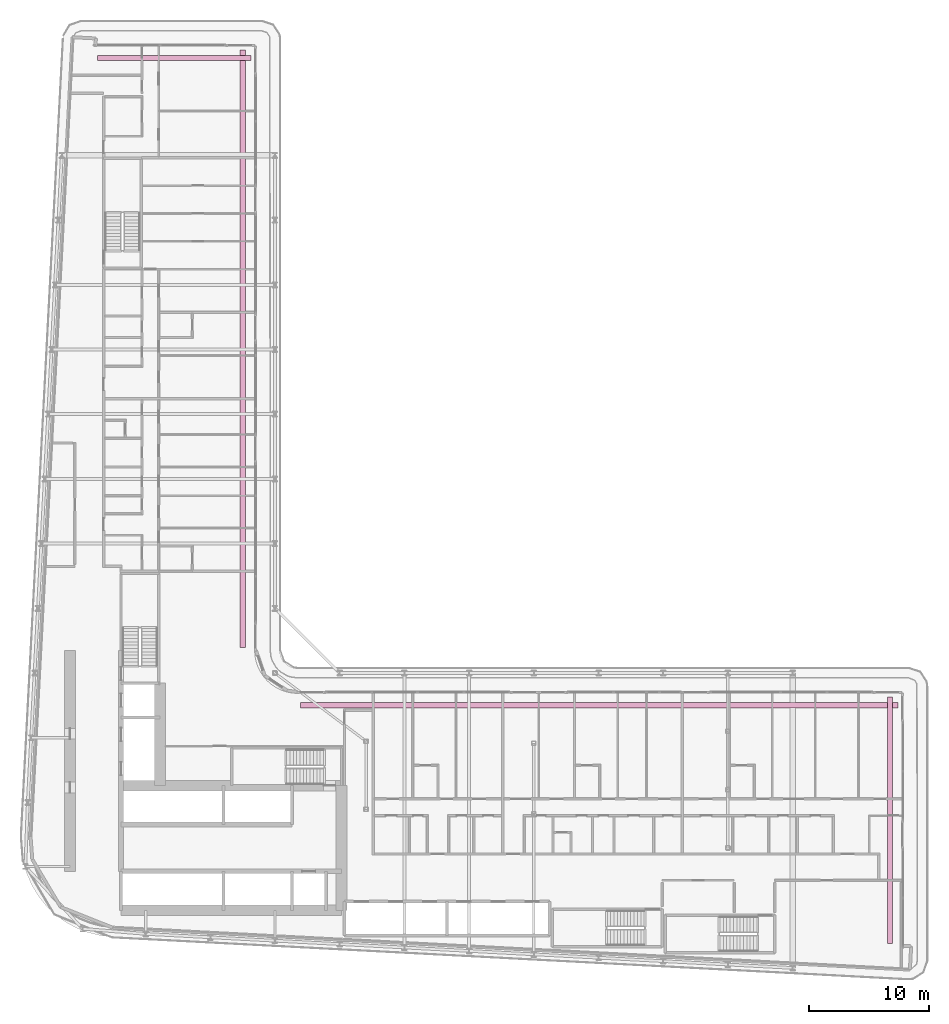
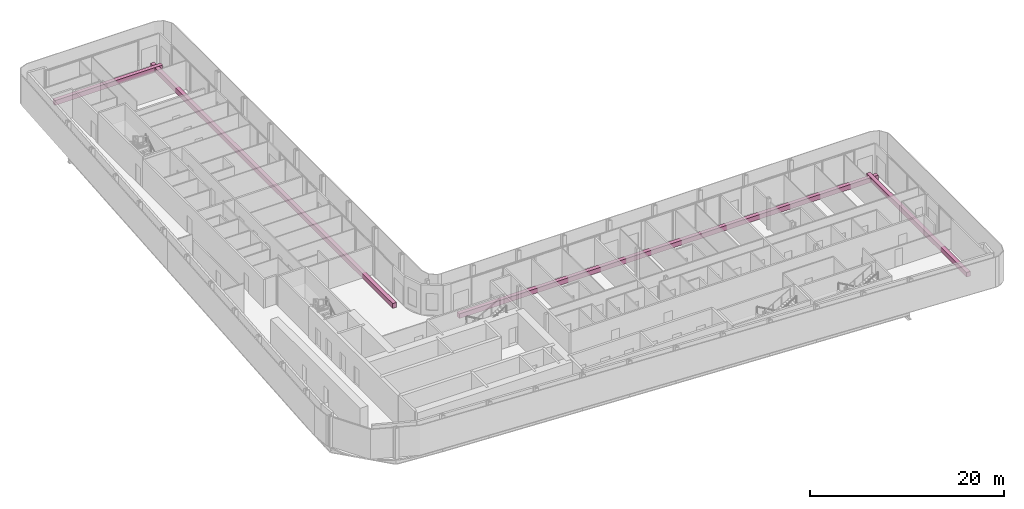
# One storey, part 29 of 29: 4 furniture elements.
"""IFC4 building model written with IfcOpenShell, lengths in metres."""

from ifc_helpers import new_model, si_unit, direction, frame, origin, origin_2d, place, context, subcontext, project, spatial, rectangle, extrude, material, type_object, element, save


model = new_model("IFC4")

# Units and contexts
model_context = context("Model", 3, precision=1e-05, world=origin(), true_north=direction((0.0, 1.0)))
body_context = subcontext(model_context, "Body", "Model", "MODEL_VIEW")
ifc_project = project(units=[si_unit("LENGTHUNIT", "METRE"), si_unit("AREAUNIT", "SQUARE_METRE"), si_unit("VOLUMEUNIT", "CUBIC_METRE"), si_unit("PLANEANGLEUNIT", "RADIAN"), si_unit("MASSUNIT", "GRAM", prefix="KILO")], contexts=[model_context])

# Site, building, storey
site_placement = place(None, origin())
site = spatial("IfcSite", under=ifc_project, at=site_placement, CompositionType="ELEMENT")
building_placement = place(site_placement, origin())
building = spatial("IfcBuilding", under=site, at=building_placement, Name="Kheshtan School and Residences Tower", CompositionType="ELEMENT")
storey_placement = place(building_placement, frame((0.0, 0.0, 121.39990234375)))
storey = spatial("IfcBuildingStorey", under=building, at=storey_placement, Name="L28", CompositionType="ELEMENT", Elevation=121.39990234375)

# Furniture
ifc_material = material(Name="Precast concrete C30/37 in terracotta finish", Category="masonry")
furniture_type = type_object("IfcFurnitureType", Name="Planter trough", AssemblyPlace="NOTDEFINED", PredefinedType="USERDEFINED", material=ifc_material)
furniture_1_placement = place(storey_placement, frame((39.196044921875, 96.925048828125, 0.0), z_axis=(0.0, 0.0, 1.0), x_axis=(1.0, 0.0, 0.0)))
element("IfcFurniture", 1, at=furniture_1_placement, inside=storey, type_object=furniture_type, Name="Planter L28", ObjectType="PLANTER", PredefinedType="USERDEFINED", context=body_context, shape_type="SweptSolid", body=[
    extrude(rectangle(XDim=12.80810546875, YDim=0.449951171875, at=origin_2d()), origin(), (0.0, 0.0, 1.0), 0.60009765625),
])
for number, where, z_axis, x_axis, name in (
    (2, (44.925048828125, 72.6650390625, 0.0), (0.0, 0.0, 1.0), (0.0, -1.0, 0.0), "Planter L28"),
    (3, (74.6650390625, 42.925048828125, 0.0), (0.0, 0.0, 1.0), (1.0, 0.0, 0.0), "Planter L28"),
):
    element("IfcFurniture", number, at=place(storey_placement, frame(where, z_axis=z_axis, x_axis=x_axis)), inside=storey, type_object=furniture_type, Name=name, ObjectType="PLANTER", PredefinedType="USERDEFINED", context=body_context, shape_type="SweptSolid", body=[
        extrude(rectangle(XDim=49.8701171875, YDim=0.449951171875, at=origin_2d()), origin(), (0.0, 0.0, 1.0), 0.60009765625),
    ])
furniture_2_placement = place(storey_placement, frame((98.925048828125, 33.306884765625, 0.0), z_axis=(0.0, 0.0, 1.0), x_axis=(0.0, -1.0, 0.0)))
element("IfcFurniture", 4, at=furniture_2_placement, inside=storey, type_object=furniture_type, Name="Planter L28", ObjectType="PLANTER", PredefinedType="USERDEFINED", context=body_context, shape_type="SweptSolid", body=[
    extrude(rectangle(XDim=20.5859375, YDim=0.449951171875, at=origin_2d()), origin(), (0.0, 0.0, 1.0), 0.60009765625),
])

save(model, "model.ifc")
